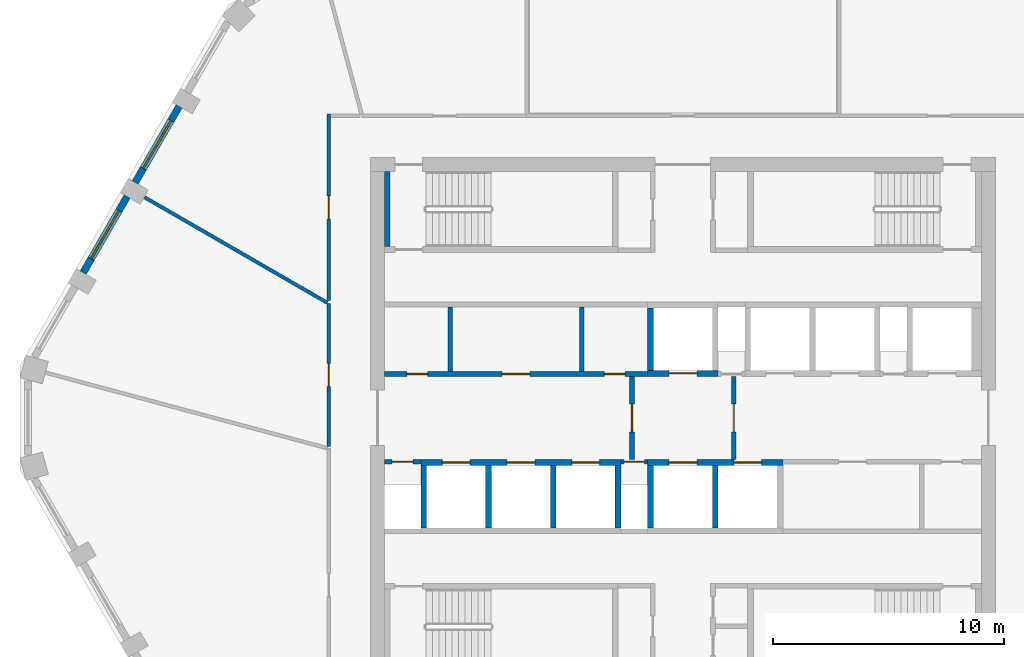
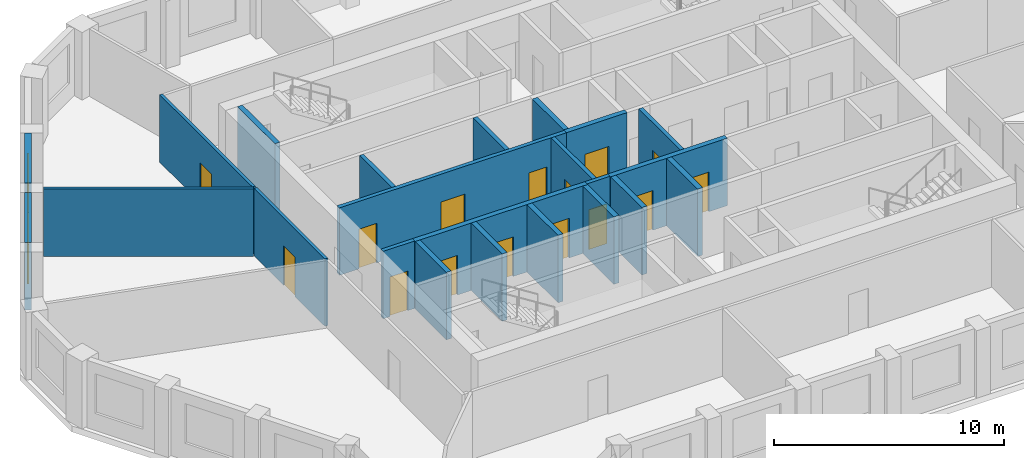
# One storey, part 3 of 10: 23 walls, 15 doors, 2 windows, 17 openings.
"""IFC4 building model written with IfcOpenShell, lengths in metres."""

from ifc_helpers import new_model, si_unit, direction, frame, frame_2d, origin, place, context, subcontext, project, spatial, polyline, rectangle, outline, extrude, material, layer, layer_set, type_object, element, fill, save


model = new_model("IFC4")

# Units and contexts
model_context = context("Model", 3, precision=1e-05, world=origin(), true_north=direction((0.0, 1.0)))
body_context = subcontext(model_context, "Body", "Model", "MODEL_VIEW")
ifc_project = project(units=[si_unit("LENGTHUNIT", "METRE"), si_unit("AREAUNIT", "SQUARE_METRE"), si_unit("VOLUMEUNIT", "CUBIC_METRE"), si_unit("PLANEANGLEUNIT", "RADIAN"), si_unit("MASSUNIT", "GRAM", prefix="KILO")], contexts=[model_context])

# Site, building, storey
site_placement = place(None, origin())
site = spatial("IfcSite", under=ifc_project, at=site_placement, CompositionType="ELEMENT")
building_placement = place(site_placement, origin())
building = spatial("IfcBuilding", under=site, at=building_placement, Name="Dhurran Vertical Campus", CompositionType="ELEMENT")
storey_placement = place(building_placement, frame((0.0, 0.0, 250.800048828125)))
storey = spatial("IfcBuildingStorey", under=building, at=storey_placement, Name="L62", CompositionType="ELEMENT", Elevation=250.800048828125)

# Wall, opening, window
ifc_material_1 = material(Name="Precast concrete C50/60", Category="concrete")
ifc_layer_1 = layer(ifc_material_1, 0.300048828125)
ifc_layer_set_1 = layer_set([ifc_layer_1], Name="Precast concrete C50/60")
wall_type_1 = type_object("IfcWallType", Name="Precast spandrel wall 300", PredefinedType="SOLIDWALL", material=ifc_layer_set_1)
wall_1_placement = place(storey_placement, frame((-21.769287109375, 13.462890625, 0.0), z_axis=(0.0, 0.0, 1.0), x_axis=(-0.499982058975, -0.866035761792, 0.0)))
wall_1 = element("IfcWall", 1, at=wall_1_placement, inside=storey, type_object=wall_type_1, Name="EW1 L62.27", PredefinedType="SOLIDWALL", context=body_context, shape_type="SweptSolid", body=[
    extrude(rectangle(XDim=3.799072265625, YDim=0.300048828125, at=frame_2d((1.8994140625, 0.0))), origin(), (0.0, 0.0, 1.0), 3.574951171875),
])
opening_1_placement = place(wall_1_placement, frame((0.699462890625, 0.0, 0.89990234375)))
opening_1 = element("IfcOpeningElement", 2, at=opening_1_placement, cuts=wall_1, Name="Opening WT1", PredefinedType="OPENING", context=body_context, shape_type="SweptSolid", body=[
    extrude(rectangle(XDim=2.39990234375, YDim=2.10009765625, at=frame_2d((1.199951171875, 1.050048828125))), frame((0.0, 0.159912109375, 0.0), z_axis=(0.0, -1.0, 0.0), x_axis=(1.0, 0.0, 0.0)), (0.0, 0.0, 1.0), 0.320068359375),
])
ifc_material_2 = material(Name="Aluminium frame with solar-control glass", Category="aluminium")
window_type = type_object("IfcWindowType", Name="Punched window 2400 x 2100", PartitioningType="SINGLE_PANEL", PredefinedType="WINDOW", material=ifc_material_2)
window_1_placement = place(opening_1_placement, origin())
window_1 = element("IfcWindow", 3, at=window_1_placement, inside=storey, type_object=window_type, Name="WT1 L62.27", OverallHeight=2.10009765625, OverallWidth=2.39990234375, PartitioningType="SINGLE_PANEL", PredefinedType="WINDOW", context=body_context, shape_type="SweptSolid", body=[
    extrude(rectangle(XDim=2.39990234375, YDim=2.10009765625, at=frame_2d((1.199951171875, 1.050048828125))), frame((0.0, 0.030029296875, 0.0), z_axis=(0.0, -1.0, 0.0), x_axis=(1.0, 0.0, 0.0)), (0.0, 0.0, 1.0), 0.06005859375),
])
fill(opening_1, window_1)

wall_2_placement = place(storey_placement, frame((-24.019287109375, 9.565673828125, 0.0), z_axis=(0.0, 0.0, 1.0), x_axis=(-0.499982058975, -0.866035761792, 0.0)))
wall_2 = element("IfcWall", 4, at=wall_2_placement, inside=storey, type_object=wall_type_1, Name="EW1 L62.28", PredefinedType="SOLIDWALL", context=body_context, shape_type="SweptSolid", body=[
    extrude(rectangle(XDim=3.799072265625, YDim=0.300048828125, at=frame_2d((1.8994140625, 0.0))), origin(), (0.0, 0.0, 1.0), 3.574951171875),
])
opening_2_placement = place(wall_2_placement, frame((0.699462890625, 0.0, 0.89990234375)))
opening_2 = element("IfcOpeningElement", 5, at=opening_2_placement, cuts=wall_2, Name="Opening WT1", PredefinedType="OPENING", context=body_context, shape_type="SweptSolid", body=[
    extrude(rectangle(XDim=2.39990234375, YDim=2.10009765625, at=frame_2d((1.199951171875, 1.050048828125))), frame((0.0, 0.159912109375, 0.0), z_axis=(0.0, -1.0, 0.0), x_axis=(1.0, 0.0, 0.0)), (0.0, 0.0, 1.0), 0.320068359375),
])
window_2_placement = place(opening_2_placement, origin())
window_2 = element("IfcWindow", 6, at=window_2_placement, inside=storey, type_object=window_type, Name="WT1 L62.28", OverallHeight=2.10009765625, OverallWidth=2.39990234375, PartitioningType="SINGLE_PANEL", PredefinedType="WINDOW", context=body_context, shape_type="SweptSolid", body=[
    extrude(rectangle(XDim=2.39990234375, YDim=2.10009765625, at=frame_2d((1.199951171875, 1.050048828125))), frame((0.0, 0.030029296875, 0.0), z_axis=(0.0, -1.0, 0.0), x_axis=(1.0, 0.0, 0.0)), (0.0, 0.0, 1.0), 0.06005859375),
])
fill(opening_2, window_2)

# Wall, opening, door
ifc_material_3 = material(Name="Fire-rated masonry blockwork", Category="masonry")
ifc_layer_2 = layer(ifc_material_3, 0.199951171875)
ifc_layer_set_2 = layer_set([ifc_layer_2], Name="Fire-rated masonry blockwork")
wall_type_2 = type_object("IfcWallType", Name="co-FIRE-PARTITION-200", PredefinedType="PARTITIONING", material=ifc_layer_set_2)
wall_3_placement = place(storey_placement, frame((-2.199951171875, -1.800048828125, 0.0), z_axis=(0.0, 0.0, 1.0), x_axis=(0.0, 1.0, 0.0)))
wall_3 = element("IfcWall", 7, at=wall_3_placement, inside=storey, type_object=wall_type_2, Name="Firefighting lobby wall W L62", PredefinedType="PARTITIONING", context=body_context, shape_type="SweptSolid", body=[
    extrude(rectangle(XDim=3.60009765625, YDim=0.199951171875, at=frame_2d((1.800048828125, 0.0))), origin(), (0.0, 0.0, 1.0), 3.574951171875),
])
opening_3_placement = place(wall_3_placement, frame((1.199951171875, 0.0, 0.0)))
opening_3 = element("IfcOpeningElement", 8, at=opening_3_placement, cuts=wall_3, Name="Opening FL1", PredefinedType="OPENING", context=body_context, shape_type="SweptSolid", body=[
    extrude(rectangle(XDim=1.199951171875, YDim=2.10009765625, at=frame_2d((0.60009765625, 1.050048828125))), frame((0.0, 0.10986328125, 0.0), z_axis=(0.0, -1.0, 0.0), x_axis=(1.0, 0.0, 0.0)), (0.0, 0.0, 1.0), 0.219970703125),
])
ifc_material_4 = material(Name="Fire-rated steel door set", Category="steel")
door_type_1 = type_object("IfcDoorType", Name="co-D-FFLOBBY 1200x2100", OperationType="SINGLE_SWING_LEFT", PredefinedType="DOOR", material=ifc_material_4)
door_1_placement = place(opening_3_placement, origin())
door_1 = element("IfcDoor", 9, at=door_1_placement, inside=storey, type_object=door_type_1, Name="Firefighting lobby door W L62", OperationType="SINGLE_SWING_LEFT", OverallHeight=2.10009765625, OverallWidth=1.199951171875, PredefinedType="DOOR", context=body_context, shape_type="SweptSolid", body=[
    extrude(rectangle(XDim=1.199951171875, YDim=2.10009765625, at=frame_2d((0.60009765625, 1.050048828125))), frame((0.0, 0.02490234375, 0.0), z_axis=(0.0, -1.0, 0.0), x_axis=(1.0, 0.0, 0.0)), (0.0, 0.0, 1.0), 0.050048828125),
])
fill(opening_3, door_1)

wall_4_placement = place(storey_placement, frame((2.199951171875, -1.800048828125, 0.0), z_axis=(0.0, 0.0, 1.0), x_axis=(0.0, 1.0, 0.0)))
wall_4 = element("IfcWall", 10, at=wall_4_placement, inside=storey, type_object=wall_type_2, Name="Firefighting lobby wall E L62", PredefinedType="PARTITIONING", context=body_context, shape_type="SweptSolid", body=[
    extrude(rectangle(XDim=3.60009765625, YDim=0.199951171875, at=frame_2d((1.800048828125, 0.0))), origin(), (0.0, 0.0, 1.0), 3.574951171875),
])
opening_4_placement = place(wall_4_placement, frame((1.199951171875, 0.0, 0.0)))
opening_4 = element("IfcOpeningElement", 11, at=opening_4_placement, cuts=wall_4, Name="Opening FL2", PredefinedType="OPENING", context=body_context, shape_type="SweptSolid", body=[
    extrude(rectangle(XDim=1.199951171875, YDim=2.10009765625, at=frame_2d((0.60009765625, 1.050048828125))), frame((0.0, 0.10986328125, 0.0), z_axis=(0.0, -1.0, 0.0), x_axis=(1.0, 0.0, 0.0)), (0.0, 0.0, 1.0), 0.219970703125),
])
door_2_placement = place(opening_4_placement, origin())
door_2 = element("IfcDoor", 12, at=door_2_placement, inside=storey, type_object=door_type_1, Name="Firefighting lobby door E L62", OperationType="SINGLE_SWING_LEFT", OverallHeight=2.10009765625, OverallWidth=1.199951171875, PredefinedType="DOOR", context=body_context, shape_type="SweptSolid", body=[
    extrude(rectangle(XDim=1.199951171875, YDim=2.10009765625, at=frame_2d((0.60009765625, 1.050048828125))), frame((0.0, 0.02490234375, 0.0), z_axis=(0.0, -1.0, 0.0), x_axis=(1.0, 0.0, 0.0)), (0.0, 0.0, 1.0), 0.050048828125),
])
fill(opening_4, door_2)

# Walls
for number, where, z_axis, x_axis, name in (
    (13, (-10.056396484375, 2.0, 0.0), (0.0, 0.0, 1.0), (0.0, 1.0, 0.0), "Core partition fr-N0-cut0 L62"),
    (14, (-4.368896484375, 2.0, 0.0), (0.0, 0.0, 1.0), (0.0, 1.0, 0.0), "Core partition fr-N0-cut1 L62"),
):
    element("IfcWall", number, at=place(storey_placement, frame(where, z_axis=z_axis, x_axis=x_axis)), inside=storey, type_object=wall_type_2, Name=name, PredefinedType="PARTITIONING", context=body_context, shape_type="SweptSolid", body=[
        extrude(rectangle(XDim=2.800048828125, YDim=0.199951171875, at=frame_2d((1.39990234375, 0.0))), origin(), (0.0, 0.0, 1.0), 3.574951171875),
    ])

# Wall, openings, doors
wall_5_placement = place(storey_placement, frame((-12.89990234375, 1.89990234375, 0.0), z_axis=(0.0, 0.0, 1.0), x_axis=(1.0, 0.0, 0.0)))
wall_5 = element("IfcWall", 15, at=wall_5_placement, inside=storey, type_object=wall_type_2, Name="Core partition fr-N0-f L62", PredefinedType="PARTITIONING", context=body_context, shape_type="SweptSolid", body=[
    extrude(rectangle(XDim=11.375, YDim=0.199951171875, at=frame_2d((5.6875, 0.0))), origin(), (0.0, 0.0, 1.0), 3.574951171875),
])
opening_5_placement = place(wall_5_placement, frame((0.971923828125, 0.0, 0.0)))
opening_5 = element("IfcOpeningElement", 16, at=opening_5_placement, cuts=wall_5, Name="Opening T18-C6", PredefinedType="OPENING", context=body_context, shape_type="SweptSolid", body=[
    extrude(rectangle(XDim=0.89990234375, YDim=2.10009765625, at=frame_2d((0.449951171875, 1.050048828125))), frame((0.0, 0.10986328125, 0.0), z_axis=(0.0, -1.0, 0.0), x_axis=(1.0, 0.0, 0.0)), (0.0, 0.0, 1.0), 0.219970703125),
])
opening_6_placement = place(wall_5_placement, frame((5.08740234375, 0.0, 0.0)))
opening_6 = element("IfcOpeningElement", 17, at=opening_6_placement, cuts=wall_5, Name="Opening T18-C7", PredefinedType="OPENING", context=body_context, shape_type="SweptSolid", body=[
    extrude(rectangle(XDim=1.199951171875, YDim=2.10009765625, at=frame_2d((0.60009765625, 1.050048828125))), frame((0.0, 0.10986328125, 0.0), z_axis=(0.0, -1.0, 0.0), x_axis=(1.0, 0.0, 0.0)), (0.0, 0.0, 1.0), 0.219970703125),
])
opening_7_placement = place(wall_5_placement, frame((9.503173828125, 0.0, 0.0)))
opening_7 = element("IfcOpeningElement", 18, at=opening_7_placement, cuts=wall_5, Name="Opening T18-C8", PredefinedType="OPENING", context=body_context, shape_type="SweptSolid", body=[
    extrude(rectangle(XDim=0.89990234375, YDim=2.10009765625, at=frame_2d((0.449951171875, 1.050048828125))), frame((0.0, 0.10986328125, 0.0), z_axis=(0.0, -1.0, 0.0), x_axis=(1.0, 0.0, 0.0)), (0.0, 0.0, 1.0), 0.219970703125),
])
ifc_material_5 = material(Name="Fire-rated timber door set", Category="wood")
door_type_2 = type_object("IfcDoorType", Name="co-D-ROOM 900x2100", OperationType="SINGLE_SWING_LEFT", PredefinedType="DOOR", material=ifc_material_5)
door_3_placement = place(opening_5_placement, origin())
door_3 = element("IfcDoor", 19, at=door_3_placement, inside=storey, type_object=door_type_2, Name="Housekeeping store door L62", OperationType="SINGLE_SWING_LEFT", OverallHeight=2.10009765625, OverallWidth=0.89990234375, PredefinedType="DOOR", context=body_context, shape_type="SweptSolid", body=[
    extrude(rectangle(XDim=0.89990234375, YDim=2.10009765625, at=frame_2d((0.449951171875, 1.050048828125))), frame((0.0, 0.02490234375, 0.0), z_axis=(0.0, -1.0, 0.0), x_axis=(1.0, 0.0, 0.0)), (0.0, 0.0, 1.0), 0.050048828125),
])
fill(opening_5, door_3)
door_4_placement = place(opening_7_placement, origin())
door_4 = element("IfcDoor", 20, at=door_4_placement, inside=storey, type_object=door_type_2, Name="Cleaner's store door L62", OperationType="SINGLE_SWING_LEFT", OverallHeight=2.10009765625, OverallWidth=0.89990234375, PredefinedType="DOOR", context=body_context, shape_type="SweptSolid", body=[
    extrude(rectangle(XDim=0.89990234375, YDim=2.10009765625, at=frame_2d((0.449951171875, 1.050048828125))), frame((0.0, 0.02490234375, 0.0), z_axis=(0.0, -1.0, 0.0), x_axis=(1.0, 0.0, 0.0)), (0.0, 0.0, 1.0), 0.050048828125),
])
fill(opening_7, door_4)
ifc_material_6 = material(Name="Fire-rated steel door set", Category="steel")
door_type_3 = type_object("IfcDoorType", Name="co-D-ROOM-PASSAGE 1200x2100", OperationType="SINGLE_SWING_RIGHT", PredefinedType="DOOR", material=ifc_material_6)
door_5_placement = place(opening_6_placement, origin())
door_5 = element("IfcDoor", 21, at=door_5_placement, inside=storey, type_object=door_type_3, Name="Server room door L62", OperationType="SINGLE_SWING_RIGHT", OverallHeight=2.10009765625, OverallWidth=1.199951171875, PredefinedType="DOOR", context=body_context, shape_type="SweptSolid", body=[
    extrude(rectangle(XDim=1.199951171875, YDim=2.10009765625, at=frame_2d((0.60009765625, 1.050048828125))), frame((0.0, 0.02490234375, 0.0), z_axis=(0.0, -1.0, 0.0), x_axis=(1.0, 0.0, 0.0)), (0.0, 0.0, 1.0), 0.050048828125),
])
fill(opening_6, door_5)

# Wall, opening, door
wall_6_placement = place(storey_placement, frame((-12.89990234375, -1.89990234375, 0.0), z_axis=(0.0, 0.0, 1.0), x_axis=(1.0, 0.0, 0.0)))
wall_6 = element("IfcWall", 22, at=wall_6_placement, inside=storey, type_object=wall_type_2, Name="Core partition fr-S0-f L62", PredefinedType="PARTITIONING", context=body_context, shape_type="SweptSolid", body=[
    extrude(rectangle(XDim=1.574951171875, YDim=0.199951171875, at=frame_2d((0.78759765625, 0.0))), origin(), (0.0, 0.0, 1.0), 3.574951171875),
])
opening_8_placement = place(wall_6_placement, frame((0.33740234375, 0.0, 0.0)))
opening_8 = element("IfcOpeningElement", 23, at=opening_8_placement, cuts=wall_6, Name="Opening T18-C11", PredefinedType="OPENING", context=body_context, shape_type="SweptSolid", body=[
    extrude(rectangle(XDim=0.89990234375, YDim=2.10009765625, at=frame_2d((0.449951171875, 1.050048828125))), frame((0.0, 0.10986328125, 0.0), z_axis=(0.0, -1.0, 0.0), x_axis=(1.0, 0.0, 0.0)), (0.0, 0.0, 1.0), 0.219970703125),
])
door_6_placement = place(opening_8_placement, origin())
door_6 = element("IfcDoor", 24, at=door_6_placement, inside=storey, type_object=door_type_2, Name="Communications riser door L62", OperationType="SINGLE_SWING_LEFT", OverallHeight=2.10009765625, OverallWidth=0.89990234375, PredefinedType="DOOR", context=body_context, shape_type="SweptSolid", body=[
    extrude(rectangle(XDim=0.89990234375, YDim=2.10009765625, at=frame_2d((0.449951171875, 1.050048828125))), frame((0.0, 0.02490234375, 0.0), z_axis=(0.0, -1.0, 0.0), x_axis=(1.0, 0.0, 0.0)), (0.0, 0.0, 1.0), 0.050048828125),
])
fill(opening_8, door_6)

wall_7_placement = place(storey_placement, frame((-2.675048828125, -1.89990234375, 0.0), z_axis=(0.0, 0.0, 1.0), x_axis=(1.0, 0.0, 0.0)))
wall_7 = element("IfcWall", 25, at=wall_7_placement, inside=storey, type_object=wall_type_2, Name="Core partition fr-S1-f L62", PredefinedType="PARTITIONING", context=body_context, shape_type="SweptSolid", body=[
    extrude(rectangle(XDim=1.150146484375, YDim=0.199951171875, at=frame_2d((0.5751953125, 0.0))), origin(), (0.0, 0.0, 1.0), 3.574951171875),
])
opening_9_placement = place(wall_7_placement, frame((0.125, 0.0, 0.0)))
opening_9 = element("IfcOpeningElement", 26, at=opening_9_placement, cuts=wall_7, Name="Opening T18-C12", PredefinedType="OPENING", context=body_context, shape_type="SweptSolid", body=[
    extrude(rectangle(XDim=0.89990234375, YDim=2.10009765625, at=frame_2d((0.449951171875, 1.050048828125))), frame((0.0, 0.10986328125, 0.0), z_axis=(0.0, -1.0, 0.0), x_axis=(1.0, 0.0, 0.0)), (0.0, 0.0, 1.0), 0.219970703125),
])
door_7_placement = place(opening_9_placement, origin())
door_7 = element("IfcDoor", 27, at=door_7_placement, inside=storey, type_object=door_type_2, Name="Electrical riser door L62", OperationType="SINGLE_SWING_LEFT", OverallHeight=2.10009765625, OverallWidth=0.89990234375, PredefinedType="DOOR", context=body_context, shape_type="SweptSolid", body=[
    extrude(rectangle(XDim=0.89990234375, YDim=2.10009765625, at=frame_2d((0.449951171875, 1.050048828125))), frame((0.0, 0.02490234375, 0.0), z_axis=(0.0, -1.0, 0.0), x_axis=(1.0, 0.0, 0.0)), (0.0, 0.0, 1.0), 0.050048828125),
])
fill(opening_9, door_7)

ifc_material_7 = material(Name="Concrete C50/60", Category="concrete")
ifc_layer_3 = layer(ifc_material_7, 0.25)
ifc_layer_set_3 = layer_set([ifc_layer_3], Name="Concrete C50/60")
wall_type_3 = type_object("IfcWallType", Name="co-SHAFT-FRONT-250", PredefinedType="SHEAR", material=ifc_layer_set_3)
wall_8_placement = place(storey_placement, frame((-1.52490234375, 1.925048828125, 0.0), z_axis=(0.0, 0.0, 1.0), x_axis=(1.0, 0.0, 0.0)))
wall_8 = element("IfcWall", 28, at=wall_8_placement, inside=storey, type_object=wall_type_3, Name="Lift landing wall N L62", PredefinedType="SHEAR", context=body_context, shape_type="SweptSolid", body=[
    extrude(rectangle(XDim=3.0498046875, YDim=0.25, at=frame_2d((1.52490234375, 0.0))), origin(), (0.0, 0.0, 1.0), 3.574951171875),
])
opening_10_placement = place(wall_8_placement, frame((0.925048828125, 0.0, 0.0)))
opening_10 = element("IfcOpeningElement", 29, at=opening_10_placement, cuts=wall_8, Name="Opening LD", PredefinedType="OPENING", context=body_context, shape_type="SweptSolid", body=[
    extrude(rectangle(XDim=1.199951171875, YDim=2.10009765625, at=frame_2d((0.60009765625, 1.050048828125))), frame((0.0, 0.135009765625, 0.0), z_axis=(0.0, -1.0, 0.0), x_axis=(1.0, 0.0, 0.0)), (0.0, 0.0, 1.0), 0.27001953125),
])
ifc_material_8 = material(Name="Stainless steel landing door", Category="steel")
door_type_4 = type_object("IfcDoorType", Name="co-D-LANDING 1200x2100", OperationType="DOUBLE_DOOR_SLIDING", PredefinedType="DOOR", material=ifc_material_8)
door_8_placement = place(opening_10_placement, origin())
door_8 = element("IfcDoor", 30, at=door_8_placement, inside=storey, type_object=door_type_4, Name="Landing door FF1 L62", OperationType="DOUBLE_DOOR_SLIDING", OverallHeight=2.10009765625, OverallWidth=1.199951171875, PredefinedType="DOOR", context=body_context, shape_type="SweptSolid", body=[
    extrude(rectangle(XDim=1.199951171875, YDim=2.10009765625, at=frame_2d((0.60009765625, 1.050048828125))), frame((0.0, 0.02490234375, 0.0), z_axis=(0.0, -1.0, 0.0), x_axis=(1.0, 0.0, 0.0)), (0.0, 0.0, 1.0), 0.050048828125),
])
fill(opening_10, door_8)

# Wall, openings, doors
wall_9_placement = place(storey_placement, frame((-11.324951171875, -1.925048828125, 0.0), z_axis=(0.0, 0.0, 1.0), x_axis=(1.0, 0.0, 0.0)))
wall_9 = element("IfcWall", 31, at=wall_9_placement, inside=storey, type_object=wall_type_3, Name="Lift landing wall S L62", PredefinedType="SHEAR", context=body_context, shape_type="SweptSolid", body=[
    extrude(rectangle(XDim=8.64990234375, YDim=0.25, at=frame_2d((4.324951171875, 0.0))), origin(), (0.0, 0.0, 1.0), 3.574951171875),
])
opening_11_placement = place(wall_9_placement, frame((0.925048828125, 0.0, 0.0)))
opening_11 = element("IfcOpeningElement", 32, at=opening_11_placement, cuts=wall_9, Name="Opening LD", PredefinedType="OPENING", context=body_context, shape_type="SweptSolid", body=[
    extrude(rectangle(XDim=1.199951171875, YDim=2.10009765625, at=frame_2d((0.60009765625, 1.050048828125))), frame((0.0, 0.135009765625, 0.0), z_axis=(0.0, -1.0, 0.0), x_axis=(1.0, 0.0, 0.0)), (0.0, 0.0, 1.0), 0.27001953125),
])
opening_12_placement = place(wall_9_placement, frame((3.72509765625, 0.0, 0.0)))
opening_12 = element("IfcOpeningElement", 33, at=opening_12_placement, cuts=wall_9, Name="Opening LD", PredefinedType="OPENING", context=body_context, shape_type="SweptSolid", body=[
    extrude(rectangle(XDim=1.199951171875, YDim=2.10009765625, at=frame_2d((0.60009765625, 1.050048828125))), frame((0.0, 0.135009765625, 0.0), z_axis=(0.0, -1.0, 0.0), x_axis=(1.0, 0.0, 0.0)), (0.0, 0.0, 1.0), 0.27001953125),
])
opening_13_placement = place(wall_9_placement, frame((6.52490234375, 0.0, 0.0)))
opening_13 = element("IfcOpeningElement", 34, at=opening_13_placement, cuts=wall_9, Name="Opening LD", PredefinedType="OPENING", context=body_context, shape_type="SweptSolid", body=[
    extrude(rectangle(XDim=1.199951171875, YDim=2.10009765625, at=frame_2d((0.60009765625, 1.050048828125))), frame((0.0, 0.135009765625, 0.0), z_axis=(0.0, -1.0, 0.0), x_axis=(1.0, 0.0, 0.0)), (0.0, 0.0, 1.0), 0.27001953125),
])
door_9_placement = place(opening_11_placement, origin())
door_9 = element("IfcDoor", 35, at=door_9_placement, inside=storey, type_object=door_type_4, Name="Landing door HR3 L62", OperationType="DOUBLE_DOOR_SLIDING", OverallHeight=2.10009765625, OverallWidth=1.199951171875, PredefinedType="DOOR", context=body_context, shape_type="SweptSolid", body=[
    extrude(rectangle(XDim=1.199951171875, YDim=2.10009765625, at=frame_2d((0.60009765625, 1.050048828125))), frame((0.0, 0.02490234375, 0.0), z_axis=(0.0, -1.0, 0.0), x_axis=(1.0, 0.0, 0.0)), (0.0, 0.0, 1.0), 0.050048828125),
])
fill(opening_11, door_9)
door_10_placement = place(opening_12_placement, origin())
door_10 = element("IfcDoor", 36, at=door_10_placement, inside=storey, type_object=door_type_4, Name="Landing door HR4 L62", OperationType="DOUBLE_DOOR_SLIDING", OverallHeight=2.10009765625, OverallWidth=1.199951171875, PredefinedType="DOOR", context=body_context, shape_type="SweptSolid", body=[
    extrude(rectangle(XDim=1.199951171875, YDim=2.10009765625, at=frame_2d((0.60009765625, 1.050048828125))), frame((0.0, 0.02490234375, 0.0), z_axis=(0.0, -1.0, 0.0), x_axis=(1.0, 0.0, 0.0)), (0.0, 0.0, 1.0), 0.050048828125),
])
fill(opening_12, door_10)
door_11_placement = place(opening_13_placement, origin())
door_11 = element("IfcDoor", 37, at=door_11_placement, inside=storey, type_object=door_type_4, Name="Landing door HR5 L62", OperationType="DOUBLE_DOOR_SLIDING", OverallHeight=2.10009765625, OverallWidth=1.199951171875, PredefinedType="DOOR", context=body_context, shape_type="SweptSolid", body=[
    extrude(rectangle(XDim=1.199951171875, YDim=2.10009765625, at=frame_2d((0.60009765625, 1.050048828125))), frame((0.0, 0.02490234375, 0.0), z_axis=(0.0, -1.0, 0.0), x_axis=(1.0, 0.0, 0.0)), (0.0, 0.0, 1.0), 0.050048828125),
])
fill(opening_13, door_11)

wall_10_placement = place(storey_placement, frame((-1.52490234375, -1.925048828125, 0.0), z_axis=(0.0, 0.0, 1.0), x_axis=(1.0, 0.0, 0.0)))
wall_10 = element("IfcWall", 38, at=wall_10_placement, inside=storey, type_object=wall_type_3, Name="Lift landing wall S L62", PredefinedType="SHEAR", context=body_context, shape_type="SweptSolid", body=[
    extrude(rectangle(XDim=5.849853515625, YDim=0.25, at=frame_2d((2.9248046875, 0.0))), origin(), (0.0, 0.0, 1.0), 3.574951171875),
])
opening_14_placement = place(wall_10_placement, frame((0.925048828125, 0.0, 0.0)))
opening_14 = element("IfcOpeningElement", 39, at=opening_14_placement, cuts=wall_10, Name="Opening LD", PredefinedType="OPENING", context=body_context, shape_type="SweptSolid", body=[
    extrude(rectangle(XDim=1.199951171875, YDim=2.10009765625, at=frame_2d((0.60009765625, 1.050048828125))), frame((0.0, 0.135009765625, 0.0), z_axis=(0.0, -1.0, 0.0), x_axis=(1.0, 0.0, 0.0)), (0.0, 0.0, 1.0), 0.27001953125),
])
opening_15_placement = place(wall_10_placement, frame((3.72509765625, 0.0, 0.0)))
opening_15 = element("IfcOpeningElement", 40, at=opening_15_placement, cuts=wall_10, Name="Opening LD", PredefinedType="OPENING", context=body_context, shape_type="SweptSolid", body=[
    extrude(rectangle(XDim=1.199951171875, YDim=2.10009765625, at=frame_2d((0.60009765625, 1.050048828125))), frame((0.0, 0.135009765625, 0.0), z_axis=(0.0, -1.0, 0.0), x_axis=(1.0, 0.0, 0.0)), (0.0, 0.0, 1.0), 0.27001953125),
])
door_12_placement = place(opening_14_placement, origin())
door_12 = element("IfcDoor", 41, at=door_12_placement, inside=storey, type_object=door_type_4, Name="Landing door FF2 L62", OperationType="DOUBLE_DOOR_SLIDING", OverallHeight=2.10009765625, OverallWidth=1.199951171875, PredefinedType="DOOR", context=body_context, shape_type="SweptSolid", body=[
    extrude(rectangle(XDim=1.199951171875, YDim=2.10009765625, at=frame_2d((0.60009765625, 1.050048828125))), frame((0.0, 0.02490234375, 0.0), z_axis=(0.0, -1.0, 0.0), x_axis=(1.0, 0.0, 0.0)), (0.0, 0.0, 1.0), 0.050048828125),
])
fill(opening_14, door_12)
door_13_placement = place(opening_15_placement, origin())
door_13 = element("IfcDoor", 42, at=door_13_placement, inside=storey, type_object=door_type_4, Name="Landing door SV1 L62", OperationType="DOUBLE_DOOR_SLIDING", OverallHeight=2.10009765625, OverallWidth=1.199951171875, PredefinedType="DOOR", context=body_context, shape_type="SweptSolid", body=[
    extrude(rectangle(XDim=1.199951171875, YDim=2.10009765625, at=frame_2d((0.60009765625, 1.050048828125))), frame((0.0, 0.02490234375, 0.0), z_axis=(0.0, -1.0, 0.0), x_axis=(1.0, 0.0, 0.0)), (0.0, 0.0, 1.0), 0.050048828125),
])
fill(opening_15, door_13)

# Walls
ifc_material_9 = material(Name="Concrete C50/60", Category="concrete")
ifc_layer_4 = layer(ifc_material_9, 0.25)
ifc_layer_set_4 = layer_set([ifc_layer_4], Name="Concrete C50/60")
wall_type_4 = type_object("IfcWallType", Name="co-SHAFT-MASS-250", PredefinedType="SHEAR", material=ifc_layer_set_4)
wall_11_placement = place(storey_placement, origin())
element("IfcWall", 43, at=wall_11_placement, inside=storey, type_object=wall_type_4, Name="Lift shaft wall N L62 4", PredefinedType="SHEAR", context=body_context, shape_type="SweptSolid", body=[
    extrude(outline(polyline([(-1.52490234375, 2.050048828125), (-1.27490234375, 2.050048828125), (-1.27490234375, 4.75), (-1.52490234375, 4.75), (-1.52490234375, 2.050048828125)])), origin(), (0.0, 0.0, 1.0), 3.574951171875),
])
wall_12_placement = place(storey_placement, origin())
element("IfcWall", 44, at=wall_12_placement, inside=storey, type_object=wall_type_4, Name="Lift shaft wall S L62 3", PredefinedType="SHEAR", context=body_context, shape_type="SweptSolid", body=[
    extrude(outline(polyline([(-11.324951171875, -4.75), (-11.074951171875, -4.75), (-11.074951171875, -2.050048828125), (-11.324951171875, -2.050048828125), (-11.324951171875, -4.75)])), origin(), (0.0, 0.0, 1.0), 3.574951171875),
])
wall_13_placement = place(storey_placement, origin())
element("IfcWall", 45, at=wall_13_placement, inside=storey, type_object=wall_type_4, Name="Lift shaft wall S L62 4", PredefinedType="SHEAR", context=body_context, shape_type="SweptSolid", body=[
    extrude(outline(polyline([(-8.52490234375, -4.75), (-8.27490234375, -4.75), (-8.27490234375, -2.050048828125), (-8.52490234375, -2.050048828125), (-8.52490234375, -4.75)])), origin(), (0.0, 0.0, 1.0), 3.574951171875),
])
wall_14_placement = place(storey_placement, origin())
element("IfcWall", 46, at=wall_14_placement, inside=storey, type_object=wall_type_4, Name="Lift shaft wall S L62 5", PredefinedType="SHEAR", context=body_context, shape_type="SweptSolid", body=[
    extrude(outline(polyline([(-5.72509765625, -4.75), (-5.47509765625, -4.75), (-5.47509765625, -2.050048828125), (-5.72509765625, -2.050048828125), (-5.72509765625, -4.75)])), origin(), (0.0, 0.0, 1.0), 3.574951171875),
])
wall_15_placement = place(storey_placement, origin())
element("IfcWall", 47, at=wall_15_placement, inside=storey, type_object=wall_type_4, Name="Lift shaft wall S L62 6", PredefinedType="SHEAR", context=body_context, shape_type="SweptSolid", body=[
    extrude(outline(polyline([(-2.925048828125, -4.75), (-2.675048828125, -4.75), (-2.675048828125, -2.050048828125), (-2.925048828125, -2.050048828125), (-2.925048828125, -4.75)])), origin(), (0.0, 0.0, 1.0), 3.574951171875),
])
wall_16_placement = place(storey_placement, origin())
element("IfcWall", 48, at=wall_16_placement, inside=storey, type_object=wall_type_4, Name="Lift shaft wall S L62 7", PredefinedType="SHEAR", context=body_context, shape_type="SweptSolid", body=[
    extrude(outline(polyline([(-1.52490234375, -4.75), (-1.27490234375, -4.75), (-1.27490234375, -2.050048828125), (-1.52490234375, -2.050048828125), (-1.52490234375, -4.75)])), origin(), (0.0, 0.0, 1.0), 3.574951171875),
])
wall_17_placement = place(storey_placement, origin())
element("IfcWall", 49, at=wall_17_placement, inside=storey, type_object=wall_type_4, Name="Lift shaft wall S L62 8", PredefinedType="SHEAR", context=body_context, shape_type="SweptSolid", body=[
    extrude(outline(polyline([(1.27490234375, -4.75), (1.52490234375, -4.75), (1.52490234375, -2.050048828125), (1.27490234375, -2.050048828125), (1.27490234375, -4.75)])), origin(), (0.0, 0.0, 1.0), 3.574951171875),
])
ifc_material_10 = material(Name="Concrete C40/50", Category="concrete")
ifc_layer_5 = layer(ifc_material_10, 0.25)
ifc_layer_set_5 = layer_set([ifc_layer_5], Name="Concrete C40/50")
wall_type_5 = type_object("IfcWallType", Name="co-STAIR-WALL-250", PredefinedType="SHEAR", material=ifc_layer_set_5)
wall_18_placement = place(storey_placement, frame((-12.77490234375, 7.39990234375, 0.0), z_axis=(0.0, 0.0, 1.0), x_axis=(0.0, 1.0, 0.0)))
element("IfcWall", 50, at=wall_18_placement, inside=storey, type_object=wall_type_5, Name="Stair ST1 enclosure wall L62", PredefinedType="SHEAR", context=body_context, shape_type="SweptSolid", body=[
    extrude(rectangle(XDim=3.25, YDim=0.25, at=frame_2d((1.625, 0.0))), origin(), (0.0, 0.0, 1.0), 3.574951171875),
])

# Wall, opening, door
ifc_material_11 = material(Name="Gypsum board corridor wall on steel studs", Category="steel")
ifc_layer_6 = layer(ifc_material_11, 0.14990234375)
ifc_layer_set_6 = layer_set([ifc_layer_6], Name="Gypsum board corridor wall on steel studs")
wall_type_6 = type_object("IfcWallType", Name="fl-CW-150 corridor wall", PredefinedType="PARTITIONING", material=ifc_layer_set_6)
wall_19_placement = place(storey_placement, frame((-15.300048828125, 4.93603515625, 0.0), z_axis=(0.0, 0.0, 1.0), x_axis=(0.0, -1.0, 0.0)))
wall_19 = element("IfcWall", 51, at=wall_19_placement, inside=storey, type_object=wall_type_6, Name="Partition 62-07", PredefinedType="PARTITIONING", context=body_context, shape_type="SweptSolid", body=[
    extrude(rectangle(XDim=6.1669921875, YDim=0.14990234375, at=frame_2d((3.08349609375, 0.0))), origin(), (0.0, 0.0, 1.0), 3.574951171875),
])
opening_16_placement = place(wall_19_placement, frame((2.58349609375, 0.0, 0.0)))
opening_16 = element("IfcOpeningElement", 52, at=opening_16_placement, cuts=wall_19, Name="Opening T18.01", PredefinedType="OPENING", context=body_context, shape_type="SweptSolid", body=[
    extrude(rectangle(XDim=1.0, YDim=2.10009765625, at=frame_2d((0.5, 1.050048828125))), frame((0.0, 0.0849609375, 0.0), z_axis=(0.0, -1.0, 0.0), x_axis=(1.0, 0.0, 0.0)), (0.0, 0.0, 1.0), 0.169921875),
])
ifc_material_12 = material(Name="Solid-core timber door set, fire-rated", Category="wood")
door_type_5 = type_object("IfcDoorType", Name="fl-D-1000x2100", OperationType="SINGLE_SWING_LEFT", PredefinedType="DOOR", material=ifc_material_12)
door_14_placement = place(opening_16_placement, origin())
door_14 = element("IfcDoor", 53, at=door_14_placement, inside=storey, type_object=door_type_5, Name="Door 62.01", OperationType="SINGLE_SWING_LEFT", OverallHeight=2.10009765625, OverallWidth=1.0, PredefinedType="DOOR", context=body_context, shape_type="SweptSolid", body=[
    extrude(rectangle(XDim=1.0, YDim=2.10009765625, at=frame_2d((0.5, 1.050048828125))), frame((0.0, 0.02490234375, 0.0), z_axis=(0.0, -1.0, 0.0), x_axis=(1.0, 0.0, 0.0)), (0.0, 0.0, 1.0), 0.050048828125),
])
fill(opening_16, door_14)

wall_20_placement = place(storey_placement, frame((-15.300048828125, 13.125, 0.0), z_axis=(0.0, 0.0, 1.0), x_axis=(0.0, -1.0, 0.0)))
wall_20 = element("IfcWall", 54, at=wall_20_placement, inside=storey, type_object=wall_type_6, Name="Partition 62-08", PredefinedType="PARTITIONING", context=body_context, shape_type="SweptSolid", body=[
    extrude(rectangle(XDim=8.05908203125, YDim=0.14990234375, at=frame_2d((4.029541015625, 0.0))), origin(), (0.0, 0.0, 1.0), 3.574951171875),
])
opening_17_placement = place(wall_20_placement, frame((3.529541015625, 0.0, 0.0)))
opening_17 = element("IfcOpeningElement", 55, at=opening_17_placement, cuts=wall_20, Name="Opening T18.03", PredefinedType="OPENING", context=body_context, shape_type="SweptSolid", body=[
    extrude(rectangle(XDim=1.0, YDim=2.10009765625, at=frame_2d((0.5, 1.050048828125))), frame((0.0, 0.0849609375, 0.0), z_axis=(0.0, -1.0, 0.0), x_axis=(1.0, 0.0, 0.0)), (0.0, 0.0, 1.0), 0.169921875),
])
door_15_placement = place(opening_17_placement, origin())
door_15 = element("IfcDoor", 56, at=door_15_placement, inside=storey, type_object=door_type_5, Name="Door 62.03", OperationType="SINGLE_SWING_LEFT", OverallHeight=2.10009765625, OverallWidth=1.0, PredefinedType="DOOR", context=body_context, shape_type="SweptSolid", body=[
    extrude(rectangle(XDim=1.0, YDim=2.10009765625, at=frame_2d((0.5, 1.050048828125))), frame((0.0, 0.02490234375, 0.0), z_axis=(0.0, -1.0, 0.0), x_axis=(1.0, 0.0, 0.0)), (0.0, 0.0, 1.0), 0.050048828125),
])
fill(opening_17, door_15)

# Wall
ifc_material_13 = material(Name="Gypsum board partition on steel studs", Category="steel")
ifc_layer_7 = layer(ifc_material_13, 0.14990234375)
ifc_layer_set_7 = layer_set([ifc_layer_7], Name="Gypsum board partition on steel studs")
wall_type_7 = type_object("IfcWallType", Name="fl-PW-150 fixed partition", PredefinedType="PARTITIONING", material=ifc_layer_set_7)
wall_21_placement = place(storey_placement, frame((-23.263916015625, 9.5341796875, 0.0), z_axis=(0.0, 0.0, 1.0), x_axis=(0.866009068046, -0.500028293261, 0.0)))
element("IfcWall", 57, at=wall_21_placement, inside=storey, type_object=wall_type_7, Name="Partition 62-02", PredefinedType="PARTITIONING", context=body_context, shape_type="SweptSolid", body=[
    extrude(rectangle(XDim=9.12109375, YDim=0.14990234375, at=frame_2d((4.560546875, 0.0))), origin(), (0.0, 0.0, 1.0), 3.574951171875),
])

save(model, "model.ifc")
